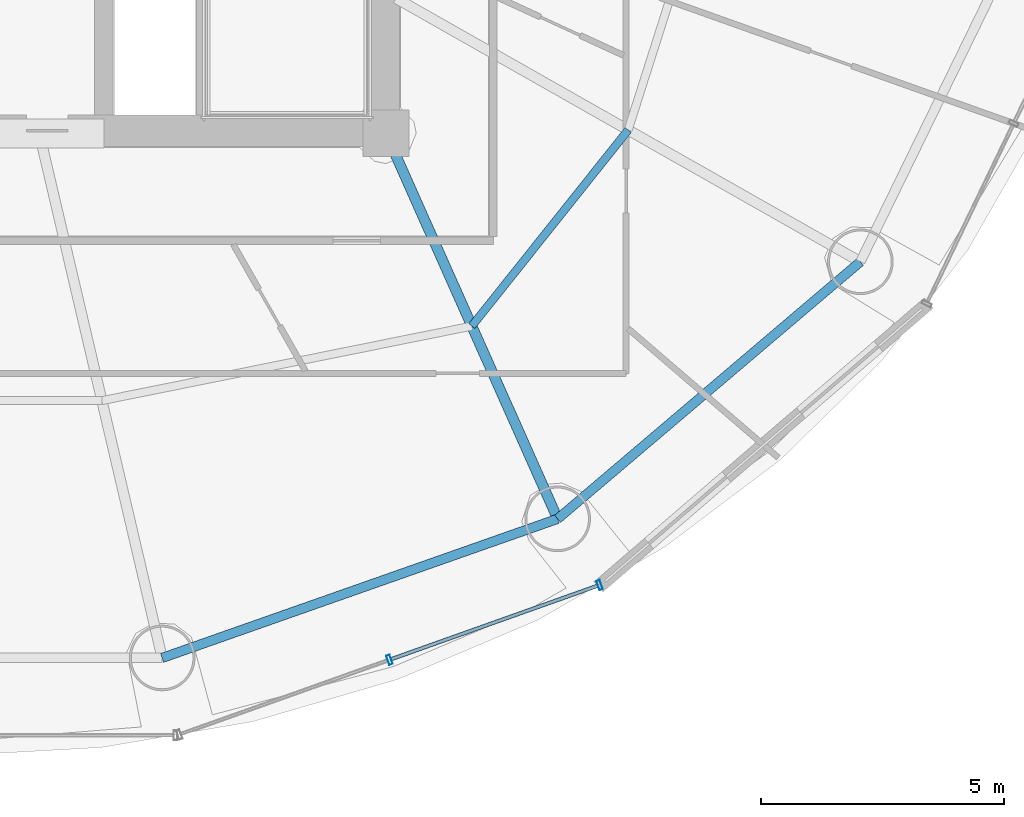
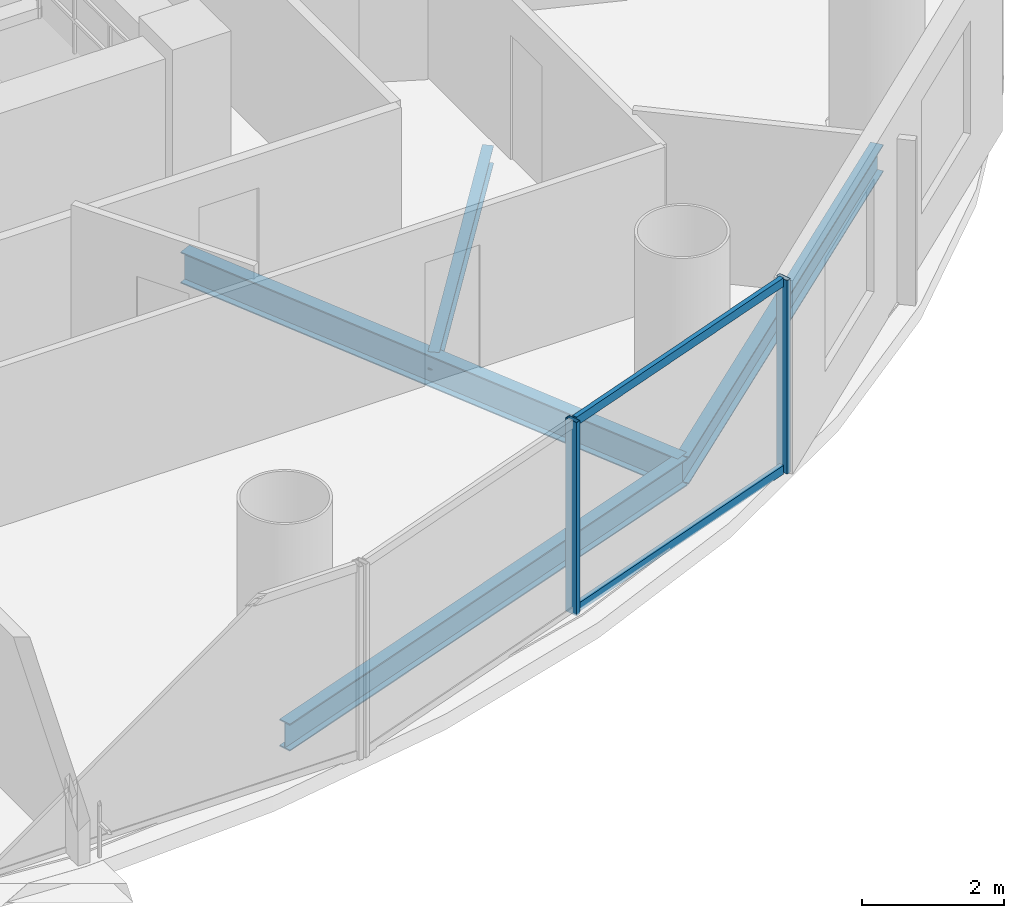
# One storey, part 9 of 26: 4 beams, 4 members, 1 element without a shape of its own.
"""IFC4 building model written with IfcOpenShell, lengths in metres."""

from ifc_helpers import new_model, si_unit, direction, frame, origin, origin_2d, place, context, subcontext, project, spatial, hollow_rectangle, i_section, extrude, source, transform, mapped, material, material_profile, profile_set, type_object, element, aggregate, save


model = new_model("IFC4")

# Units and contexts
model_context = context("Model", 3, precision=1e-05, world=origin(), true_north=direction((-0.2419218956, 0.970295726276)))
body_context = subcontext(model_context, "Body", "Model", "MODEL_VIEW")
ifc_project = project(units=[si_unit("LENGTHUNIT", "METRE"), si_unit("AREAUNIT", "SQUARE_METRE"), si_unit("VOLUMEUNIT", "CUBIC_METRE"), si_unit("PLANEANGLEUNIT", "RADIAN"), si_unit("MASSUNIT", "GRAM", prefix="KILO")], contexts=[model_context])

# Site, building, storey
site_placement = place(None, origin())
site = spatial("IfcSite", under=ifc_project, at=site_placement, CompositionType="ELEMENT")
building_placement = place(site_placement, origin())
building = spatial("IfcBuilding", under=site, at=building_placement, Name="Cobrevalo Terracotta Tower", CompositionType="ELEMENT")
storey_placement = place(building_placement, frame((0.0, 0.0, 167.800048828125)))
storey = spatial("IfcBuildingStorey", under=building, at=storey_placement, Name="L44", CompositionType="ELEMENT", Elevation=167.800048828125)

# Beams
ifc_material_1 = material(Name="Steel S355", Category="steel")
ifc_material_profile_1 = material_profile(ifc_material_1, i_section(OverallWidth=0.2109375, OverallDepth=0.5390625, WebThickness=0.01171875, FlangeThickness=0.018798828125, at=origin_2d()), Name="W 530x109")
ifc_profile_set_1 = profile_set([ifc_material_profile_1], Name="Steel S355")
beam_type_1 = type_object("IfcBeamType", Name="Structural Beam W 530x109 (Steel S355)", PredefinedType="BEAM", material=ifc_profile_set_1)
beam_1_placement = place(storey_placement, frame((50.528076171875, 10.87744140625, -0.53955078125), z_axis=(-0.406804395691, 0.913515289224, 0.0), x_axis=(-0.913515289224, -0.406804395691, 0.0)))
element("IfcBeam", 1, at=beam_1_placement, inside=storey, type_object=beam_type_1, Name="L44 radial floor girder 14", PredefinedType="BEAM", context=body_context, shape_type="SweptSolid", body=[
    extrude(i_section(OverallWidth=0.2109375, OverallDepth=0.5390625, WebThickness=0.01171875, FlangeThickness=0.018798828125, at=origin_2d()), origin(), (0.0, 0.0, 1.0), 8.672607421875),
])
ifc_material_profile_2 = material_profile(ifc_material_1, i_section(OverallWidth=0.1650390625, OverallDepth=0.31005859375, WebThickness=0.005859375, FlangeThickness=0.009765625, at=origin_2d()), Name="W 310x38.7")
ifc_profile_set_2 = profile_set([ifc_material_profile_2], Name="Steel S355")
beam_type_2 = type_object("IfcBeamType", Name="Structural Joist W 310x38.7 (Steel S355)", PredefinedType="JOIST", material=ifc_profile_set_2)
beam_2_placement = place(storey_placement, frame((48.76416015625, 14.838623046875, -0.425048828125), z_axis=(0.623382939397, 0.781916690492, 0.0), x_axis=(-0.781916690492, 0.623382939397, 0.0)))
element("IfcBeam", 2, at=beam_2_placement, inside=storey, type_object=beam_type_2, Name="L44 circumferential secondary floor joist 14", PredefinedType="JOIST", context=body_context, shape_type="SweptSolid", body=[
    extrude(i_section(OverallWidth=0.1650390625, OverallDepth=0.31005859375, WebThickness=0.005859375, FlangeThickness=0.009765625, at=origin_2d()), origin(), (0.0, 0.0, 1.0), 5.154296875),
])
ifc_material_profile_3 = material_profile(ifc_material_1, i_section(OverallWidth=0.194091796875, OverallDepth=0.468994140625, WebThickness=0.011474609375, FlangeThickness=0.0205078125, at=origin_2d()), Name="W 460x106")
ifc_profile_set_3 = profile_set([ifc_material_profile_3], Name="Steel S355")
beam_type_3 = type_object("IfcBeamType", Name="Structural Spandrel W 460x106 (Steel S355)", PredefinedType="SPANDREL", material=ifc_profile_set_3)
beam_3_placement = place(storey_placement, frame((42.399169921875, 8.01806640625, -0.504638671875), z_axis=(0.943341298492, 0.331824041565, 0.0), x_axis=(-0.331824041565, 0.943341298492, 0.0)))
element("IfcBeam", 3, at=beam_3_placement, inside=storey, type_object=beam_type_3, Name="L44 perimeter ring spandrel 13", PredefinedType="SPANDREL", context=body_context, shape_type="SweptSolid", body=[
    extrude(i_section(OverallWidth=0.194091796875, OverallDepth=0.468994140625, WebThickness=0.011474609375, FlangeThickness=0.0205078125, at=origin_2d()), origin(), (0.0, 0.0, 1.0), 8.6171875),
])
beam_4_placement = place(storey_placement, frame((50.528076171875, 10.87744140625, -0.504638671875), z_axis=(0.762240337798, 0.647294112003, 0.0), x_axis=(-0.647294112003, 0.762240337798, 0.0)))
element("IfcBeam", 4, at=beam_4_placement, inside=storey, type_object=beam_type_3, Name="L44 perimeter ring spandrel 14", PredefinedType="SPANDREL", context=body_context, shape_type="SweptSolid", body=[
    extrude(i_section(OverallWidth=0.194091796875, OverallDepth=0.468994140625, WebThickness=0.011474609375, FlangeThickness=0.0205078125, at=origin_2d()), origin(), (0.0, 0.0, 1.0), 8.162353515625),
])

# Curtain wall, members
ifc_material_2 = material(Name="Anodized aluminium", Category="aluminium")
curtain_wall_type = type_object("IfcCurtainWallType", Name="Mid-tower high-wind unitised curtain wall CW-U2", PredefinedType="NOTDEFINED", material=ifc_material_2)
curtain_wall_placement = place(storey_placement, origin())
curtain_wall = element("IfcCurtainWall", 5, at=curtain_wall_placement, inside=storey, type_object=curtain_wall_type, Name="L44 curtain wall CW-L44-S13", PredefinedType="NOTDEFINED")
ifc_material_profile_4 = material_profile(ifc_material_2, hollow_rectangle(XDim=0.074951171875, YDim=0.199951171875, WallThickness=0.0048828125, at=origin_2d()), Name="CWM 75x200")
ifc_profile_set_4 = profile_set([ifc_material_profile_4], Name="Anodized aluminium")
member_type_1 = type_object("IfcMemberType", Name="Lower/mid tower unitised mullion 75x200", PredefinedType="MULLION", material=ifc_profile_set_4)
shared_shape_1 = source(origin(), body_context, "Body", "SweptSolid", [
    extrude(hollow_rectangle(XDim=0.074951171875, YDim=0.199951171875, WallThickness=0.0048828125, at=origin_2d()), origin(), (0.0, 0.0, 1.0), 3.329833984375),
])
member_1_placement = place(storey_placement, frame((47.07177734375, 7.979736328125, 0.0), z_axis=(0.0, 0.0, 1.0), x_axis=(0.942098428897, 0.335336473217, 0.0)))
member_1 = element("IfcMember", 6, at=member_1_placement, type_object=member_type_1, Name="CW-L44-S13 vertical mullion 02", PredefinedType="MULLION", context=body_context, shape_type="MappedRepresentation", body=[
    mapped(shared_shape_1, transform((0.0, 0.0, 0.0), scale=1.0)),
])
member_2_placement = place(storey_placement, frame((51.390380859375, 9.516845703125, 0.0), z_axis=(0.0, 0.0, 1.0), x_axis=(0.942098428897, 0.335336473217, 0.0)))
member_2 = element("IfcMember", 7, at=member_2_placement, type_object=member_type_1, Name="CW-L44-S13 vertical mullion 03", PredefinedType="MULLION", context=body_context, shape_type="MappedRepresentation", body=[
    mapped(shared_shape_1, transform((0.0, 0.0, 0.0), scale=1.0)),
])
ifc_material_profile_5 = material_profile(ifc_material_2, hollow_rectangle(XDim=0.074951171875, YDim=0.14990234375, WallThickness=0.00439453125, at=origin_2d()), Name="CWT 75x150")
ifc_profile_set_5 = profile_set([ifc_material_profile_5], Name="Anodized aluminium")
member_type_2 = type_object("IfcMemberType", Name="Tower unitised aluminium transom 75x150", PredefinedType="USERDEFINED", material=ifc_profile_set_5)
shared_shape_2 = source(origin(), body_context, "Body", "SweptSolid", [
    extrude(hollow_rectangle(XDim=0.074951171875, YDim=0.14990234375, WallThickness=0.00439453125, at=origin_2d()), origin(), (0.0, 0.0, 1.0), 4.504150390625),
])
member_3_placement = place(storey_placement, frame((47.109375, 7.9931640625, 0.050048828125), z_axis=(0.942093344241, 0.335350757771, 0.0), x_axis=(-0.335350757771, 0.942093344241, 0.0)))
member_3 = element("IfcMember", 8, at=member_3_placement, type_object=member_type_2, Name="CW-L44-S13 transom B02-T1", ObjectType="TRANSOM", PredefinedType="USERDEFINED", context=body_context, shape_type="MappedRepresentation", body=[
    mapped(shared_shape_2, transform((0.0, 0.0, 0.0), scale=1.0)),
])
member_4_placement = place(storey_placement, frame((47.109375, 7.9931640625, 3.280029296875), z_axis=(0.942093344241, 0.335350757771, 0.0), x_axis=(-0.335350757771, 0.942093344241, 0.0)))
member_4 = element("IfcMember", 9, at=member_4_placement, type_object=member_type_2, Name="CW-L44-S13 transom B02-T2", ObjectType="TRANSOM", PredefinedType="USERDEFINED", context=body_context, shape_type="MappedRepresentation", body=[
    mapped(shared_shape_2, transform((0.0, 0.0, 0.0), scale=1.0)),
])
aggregate(curtain_wall, [member_1, member_2, member_3, member_4])

save(model, "model.ifc")
